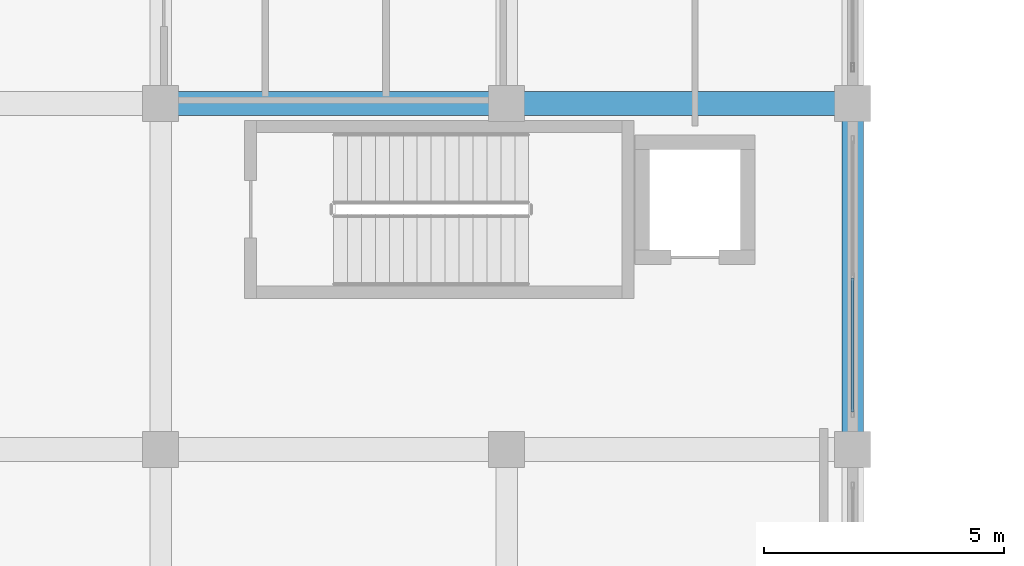
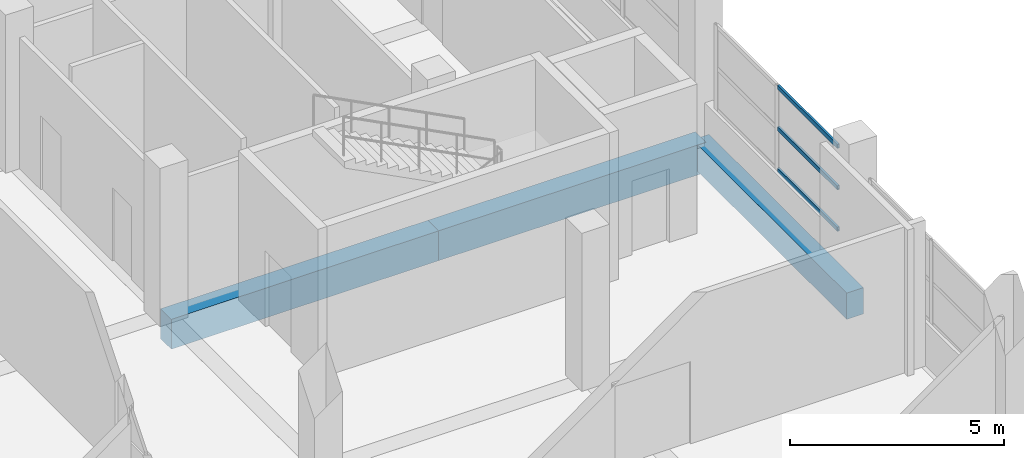
# One storey, part 19 of 141: 3 beams, 3 members, 1 element without a shape of its own.
"""IFC4 building model written with IfcOpenShell, lengths in metres."""

from ifc_helpers import new_model, si_unit, direction, frame, origin, origin_2d, place, context, subcontext, project, spatial, rectangle, hollow_rectangle, extrude, material, layer, layer_set, material_profile, profile_set, type_object, element, aggregate, save


model = new_model("IFC4")

# Units and contexts
model_context = context("Model", 3, precision=1e-05, world=origin(), true_north=direction((0.0, 1.0)))
body_context = subcontext(model_context, "Body", "Model", "MODEL_VIEW")
ifc_project = project(units=[si_unit("LENGTHUNIT", "METRE"), si_unit("AREAUNIT", "SQUARE_METRE"), si_unit("VOLUMEUNIT", "CUBIC_METRE"), si_unit("PLANEANGLEUNIT", "RADIAN"), si_unit("MASSUNIT", "GRAM", prefix="KILO")], contexts=[model_context])

# Site, building, storey
site_placement = place(None, origin())
site = spatial("IfcSite", under=ifc_project, at=site_placement, CompositionType="ELEMENT")
building_placement = place(site_placement, origin())
building = spatial("IfcBuilding", under=site, at=building_placement, Name="Seraya Terrace Polytechnic", CompositionType="ELEMENT")
storey_placement = place(building_placement, frame((0.0, 0.0, 14.39990234375)))
storey = spatial("IfcBuildingStorey", under=building, at=storey_placement, Name="L03", CompositionType="ELEMENT", Elevation=14.39990234375)

# Beams
ifc_material_1 = material(Name="Concrete C40/50", Category="concrete")
ifc_material_profile_1 = material_profile(ifc_material_1, rectangle(XDim=0.5, YDim=0.85009765625, at=origin_2d()), Name="RC 500x850")
ifc_profile_set_1 = profile_set([ifc_material_profile_1], Name="Concrete C40/50")
beam_type_1 = type_object("IfcBeamType", Name="BM-05", PredefinedType="BEAM", material=ifc_profile_set_1)
for number, where, z_axis, x_axis, name in (
    (1, (28.800048828125, 43.199951171875, -0.4248046875), (1.0, 0.0, 0.0), (0.0, 1.0, 0.0), "Beam BM-05 L03 X (28.8..36.0, 43.2)"),
    (2, (36.0, 43.199951171875, -0.4248046875), (1.0, 0.0, 0.0), (0.0, 1.0, 0.0), "Beam BM-05 L03 X (36.0..43.2, 43.2)"),
):
    element("IfcBeam", number, at=place(storey_placement, frame(where, z_axis=z_axis, x_axis=x_axis)), inside=storey, type_object=beam_type_1, Name=name, PredefinedType="BEAM", context=body_context, shape_type="SweptSolid", body=[
        extrude(rectangle(XDim=0.5, YDim=0.85009765625, at=origin_2d()), origin(), (0.0, 0.0, 1.0), 7.199951171875),
    ])
ifc_material_profile_2 = material_profile(ifc_material_1, rectangle(XDim=0.449951171875, YDim=0.75, at=origin_2d()), Name="RC 450x750")
ifc_profile_set_2 = profile_set([ifc_material_profile_2], Name="Concrete C40/50")
beam_type_2 = type_object("IfcBeamType", Name="BM-08", PredefinedType="BEAM", material=ifc_profile_set_2)
beam_placement = place(storey_placement, frame((43.199951171875, 36.0, -0.375), z_axis=(0.0, 1.0, 0.0), x_axis=(-1.0, 0.0, 0.0)))
element("IfcBeam", 3, at=beam_placement, inside=storey, type_object=beam_type_2, Name="Beam BM-08 L03 Y (43.2, 36.0..43.2)", PredefinedType="BEAM", context=body_context, shape_type="SweptSolid", body=[
    extrude(rectangle(XDim=0.449951171875, YDim=0.75, at=origin_2d()), origin(), (0.0, 0.0, 1.0), 7.199951171875),
])

# Curtain wall, members
ifc_material_2 = material(Name="Anodised aluminium EN AW-6063 T6", Category="aluminium")
ifc_layer = layer(ifc_material_2, 0.179931640625, Name="CW-05")
ifc_layer_set = layer_set([ifc_layer], Name="Anodised aluminium EN AW-6063 T6")
curtain_wall_type = type_object("IfcCurtainWallType", Name="CW-05", PredefinedType="NOTDEFINED", material=ifc_layer_set)
curtain_wall_placement = place(storey_placement, origin())
curtain_wall = element("IfcCurtainWall", 4, at=curtain_wall_placement, inside=storey, type_object=curtain_wall_type, Name="Unitised curtain wall CW-05 (CW-L03-149)", PredefinedType="NOTDEFINED")
ifc_material_profile_3 = material_profile(ifc_material_2, hollow_rectangle(XDim=0.06005859375, YDim=0.1201171875, WallThickness=0.003173828125, at=origin_2d()), Name="RHS 120x60x3.2")
ifc_profile_set_3 = profile_set([ifc_material_profile_3], Name="Anodised aluminium EN AW-6063 T6")
member_type = type_object("IfcMemberType", Name="CWT-02", PredefinedType="USERDEFINED", material=ifc_profile_set_3)
member_1_placement = place(storey_placement, frame((43.199951171875, 39.570068359375, 1.27001953125), z_axis=(0.0, -1.0, 0.0), x_axis=(1.0, 0.0, 0.0)))
member_1 = element("IfcMember", 5, at=member_1_placement, type_object=member_type, Name="CW-05 transom 2.1", ObjectType="TRANSOM", PredefinedType="USERDEFINED", context=body_context, shape_type="SweptSolid", body=[
    extrude(hollow_rectangle(XDim=0.06005859375, YDim=0.1201171875, WallThickness=0.003173828125, at=origin_2d()), origin(), (0.0, 0.0, 1.0), 2.7900390625),
])
member_2_placement = place(storey_placement, frame((43.199951171875, 39.570068359375, 2.4501953125), z_axis=(0.0, -1.0, 0.0), x_axis=(1.0, 0.0, 0.0)))
member_2 = element("IfcMember", 6, at=member_2_placement, type_object=member_type, Name="CW-05 transom 2.2", ObjectType="TRANSOM", PredefinedType="USERDEFINED", context=body_context, shape_type="SweptSolid", body=[
    extrude(hollow_rectangle(XDim=0.06005859375, YDim=0.1201171875, WallThickness=0.003173828125, at=origin_2d()), origin(), (0.0, 0.0, 1.0), 2.7900390625),
])
member_3_placement = place(storey_placement, frame((43.199951171875, 39.570068359375, 3.630126953125), z_axis=(0.0, -1.0, 0.0), x_axis=(1.0, 0.0, 0.0)))
member_3 = element("IfcMember", 7, at=member_3_placement, type_object=member_type, Name="CW-05 transom 2.3", ObjectType="TRANSOM", PredefinedType="USERDEFINED", context=body_context, shape_type="SweptSolid", body=[
    extrude(hollow_rectangle(XDim=0.06005859375, YDim=0.1201171875, WallThickness=0.003173828125, at=origin_2d()), origin(), (0.0, 0.0, 1.0), 2.7900390625),
])
aggregate(curtain_wall, [member_1, member_2, member_3])

save(model, "model.ifc")
